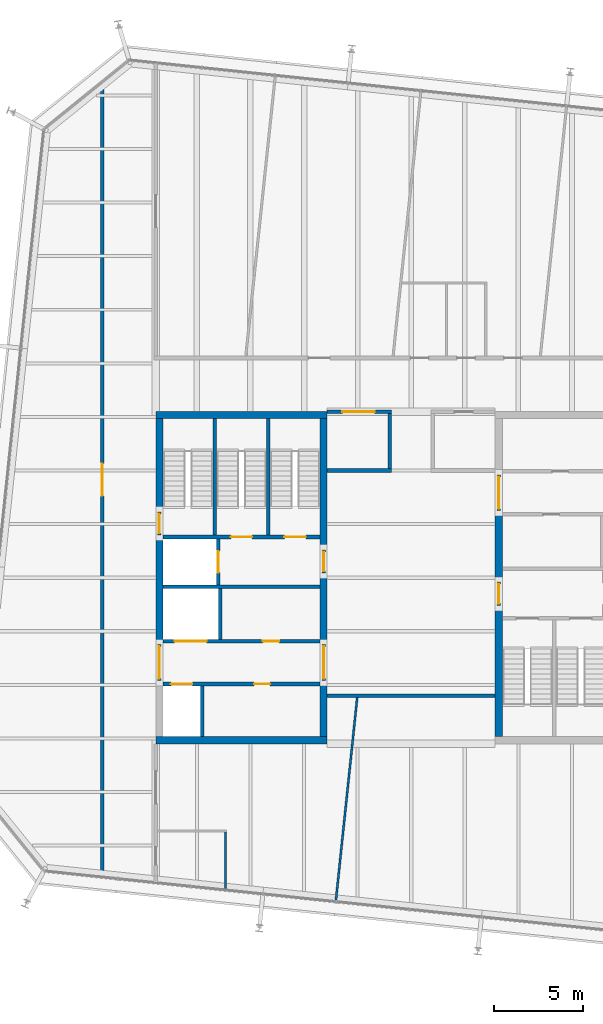
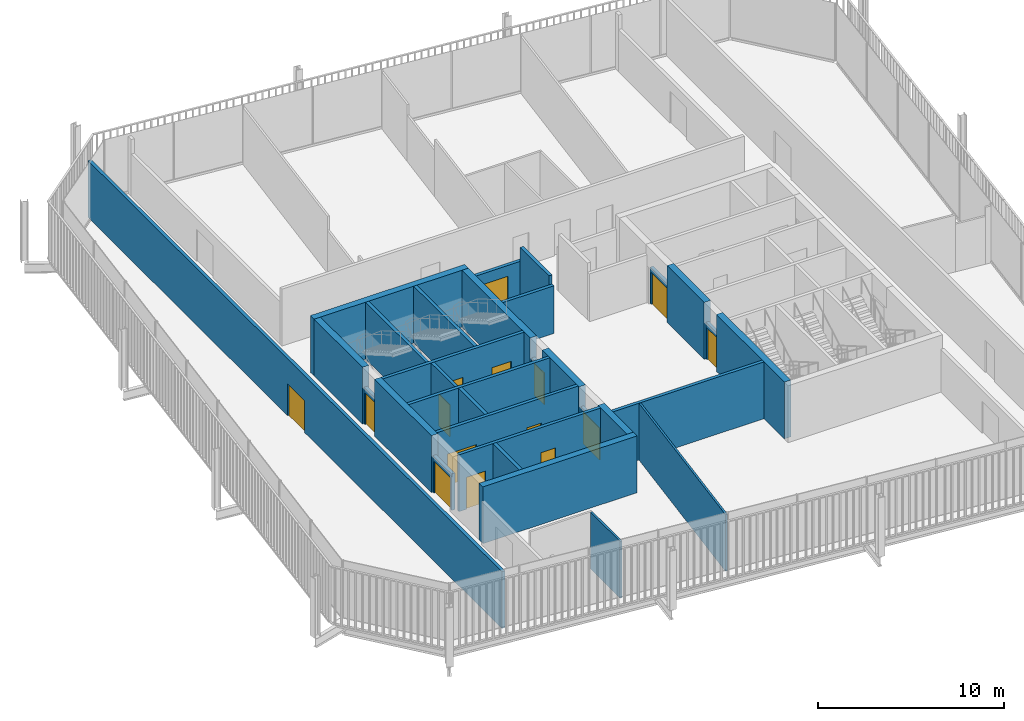
# One storey, part 16 of 20: 31 walls, 15 doors, 15 openings.
"""IFC4 building model written with IfcOpenShell, lengths in metres."""

from ifc_helpers import new_model, si_unit, direction, frame, frame_2d, origin, place, context, subcontext, project, spatial, rectangle, extrude, material, layer, layer_set, type_object, element, fill, save


model = new_model("IFC4")

# Units and contexts
model_context = context("Model", 3, precision=1e-05, world=origin(), true_north=direction((0.0, 1.0)))
body_context = subcontext(model_context, "Body", "Model", "MODEL_VIEW")
ifc_project = project(units=[si_unit("LENGTHUNIT", "METRE"), si_unit("AREAUNIT", "SQUARE_METRE"), si_unit("VOLUMEUNIT", "CUBIC_METRE"), si_unit("PLANEANGLEUNIT", "RADIAN"), si_unit("MASSUNIT", "GRAM", prefix="KILO")], contexts=[model_context])

# Site, building, storey
site_placement = place(None, origin())
site = spatial("IfcSite", under=ifc_project, at=site_placement, CompositionType="ELEMENT")
building_placement = place(site_placement, origin())
building = spatial("IfcBuilding", under=site, at=building_placement, Name="Millrace Tower", CompositionType="ELEMENT")
storey_placement = place(building_placement, frame((0.0, 0.0, 279.89990234375)))
storey = spatial("IfcBuildingStorey", under=building, at=storey_placement, Name="L64", CompositionType="ELEMENT", Elevation=279.89990234375)

# Walls
ifc_material_1 = material(Name="Concrete C60", Category="concrete")
ifc_layer_1 = layer(ifc_material_1, 0.39990234375)
ifc_layer_set_1 = layer_set([ifc_layer_1], Name="Concrete C60")
wall_type_1 = type_object("IfcWallType", Name="Core wall 400 Concrete C60", PredefinedType="SHEAR", material=ifc_layer_set_1)
for number, where, z_axis, x_axis, name in (
    (1, (-14.300048828125, -9.10009765625, 0.0), (0.0, 0.0, 1.0), (1.0, 0.0, 0.0), "Core wall W L64"),
    (2, (-14.300048828125, 9.10009765625, 0.0), (0.0, 0.0, 1.0), (1.0, 0.0, 0.0), "Core wall W L64"),
):
    element("IfcWall", number, at=place(storey_placement, frame(where, z_axis=z_axis, x_axis=x_axis)), inside=storey, type_object=wall_type_1, Name=name, PredefinedType="SHEAR", context=body_context, shape_type="SweptSolid", body=[
        extrude(rectangle(XDim=9.60009765625, YDim=0.39990234375, at=frame_2d((4.800048828125, 0.0))), origin(), (0.0, 0.0, 1.0), 3.739990234375),
    ])
wall_1_placement = place(storey_placement, frame((-14.10009765625, -3.75, 0.0), z_axis=(0.0, 0.0, 1.0), x_axis=(0.0, 1.0, 0.0)))
element("IfcWall", 3, at=wall_1_placement, inside=storey, type_object=wall_type_1, Name="Core wall W L64", PredefinedType="SHEAR", context=body_context, shape_type="SweptSolid", body=[
    extrude(rectangle(XDim=6.1298828125, YDim=0.39990234375, at=frame_2d((3.06494140625, 0.0))), origin(), (0.0, 0.0, 1.0), 3.739990234375),
])
wall_2_placement = place(storey_placement, frame((-14.10009765625, 3.679931640625, 0.0), z_axis=(0.0, 0.0, 1.0), x_axis=(0.0, 1.0, 0.0)))
element("IfcWall", 4, at=wall_2_placement, inside=storey, type_object=wall_type_1, Name="Core wall W L64", PredefinedType="SHEAR", context=body_context, shape_type="SweptSolid", body=[
    extrude(rectangle(XDim=5.219970703125, YDim=0.39990234375, at=frame_2d((2.60986328125, 0.0))), origin(), (0.0, 0.0, 1.0), 3.739990234375),
])
wall_3_placement = place(storey_placement, frame((-4.89990234375, -8.89990234375, 0.0), z_axis=(0.0, 0.0, 1.0), x_axis=(0.0, 1.0, 0.0)))
element("IfcWall", 5, at=wall_3_placement, inside=storey, type_object=wall_type_1, Name="Core wall W L64", PredefinedType="SHEAR", context=body_context, shape_type="SweptSolid", body=[
    extrude(rectangle(XDim=3.14990234375, YDim=0.39990234375, at=frame_2d((1.574951171875, 0.0))), origin(), (0.0, 0.0, 1.0), 3.739990234375),
])
wall_4_placement = place(storey_placement, frame((-4.89990234375, -3.75, 0.0), z_axis=(0.0, 0.0, 1.0), x_axis=(0.0, 1.0, 0.0)))
element("IfcWall", 6, at=wall_4_placement, inside=storey, type_object=wall_type_1, Name="Core wall W L64", PredefinedType="SHEAR", context=body_context, shape_type="SweptSolid", body=[
    extrude(rectangle(XDim=4.0, YDim=0.39990234375, at=frame_2d((2.0, 0.0))), origin(), (0.0, 0.0, 1.0), 3.739990234375),
])
wall_5_placement = place(storey_placement, frame((-4.89990234375, 1.550048828125, 0.0), z_axis=(0.0, 0.0, 1.0), x_axis=(0.0, 1.0, 0.0)))
element("IfcWall", 7, at=wall_5_placement, inside=storey, type_object=wall_type_1, Name="Core wall W L64", PredefinedType="SHEAR", context=body_context, shape_type="SweptSolid", body=[
    extrude(rectangle(XDim=7.349853515625, YDim=0.39990234375, at=frame_2d((3.6748046875, 0.0))), origin(), (0.0, 0.0, 1.0), 3.739990234375),
])
wall_6_placement = place(storey_placement, frame((4.89990234375, 3.75, 0.0), z_axis=(0.0, 0.0, 1.0), x_axis=(0.0, -1.0, 0.0)))
element("IfcWall", 8, at=wall_6_placement, inside=storey, type_object=wall_type_1, Name="Core wall E L64", PredefinedType="SHEAR", context=body_context, shape_type="SweptSolid", body=[
    extrude(rectangle(XDim=4.0, YDim=0.39990234375, at=frame_2d((2.0, 0.0))), origin(), (0.0, 0.0, 1.0), 3.739990234375),
])
wall_7_placement = place(storey_placement, frame((4.89990234375, -1.550048828125, 0.0), z_axis=(0.0, 0.0, 1.0), x_axis=(0.0, -1.0, 0.0)))
element("IfcWall", 9, at=wall_7_placement, inside=storey, type_object=wall_type_1, Name="Core wall E L64", PredefinedType="SHEAR", context=body_context, shape_type="SweptSolid", body=[
    extrude(rectangle(XDim=7.349853515625, YDim=0.39990234375, at=frame_2d((3.6748046875, 0.0))), origin(), (0.0, 0.0, 1.0), 3.739990234375),
])
ifc_material_2 = material(Name="Masonry partition, fire-rated", Category="masonry")
ifc_layer_2 = layer(ifc_material_2, 0.199951171875)
ifc_layer_set_2 = layer_set([ifc_layer_2], Name="Masonry partition, fire-rated")
wall_type_2 = type_object("IfcWallType", Name="Corridor wall 200", PredefinedType="PARTITIONING", material=ifc_layer_set_2)
wall_8_placement = place(storey_placement, frame((-4.699951171875, -6.60009765625, 0.0), z_axis=(0.0, 0.0, 1.0), x_axis=(1.0, 0.0, 0.0)))
element("IfcWall", 10, at=wall_8_placement, inside=storey, type_object=wall_type_2, Name="Corridor wall L64", PredefinedType="PARTITIONING", context=body_context, shape_type="SweptSolid", body=[
    extrude(rectangle(XDim=9.39990234375, YDim=0.199951171875, at=frame_2d((4.699951171875, 0.0))), origin(), (0.0, 0.0, 1.0), 3.739990234375),
])
wall_9_placement = place(storey_placement, frame((-4.699951171875, 6.0, 0.0), z_axis=(0.0, 0.0, 1.0), x_axis=(1.0, 0.0, 0.0)))
element("IfcWall", 11, at=wall_9_placement, inside=storey, type_object=wall_type_2, Name="Corridor wall L64", PredefinedType="PARTITIONING", context=body_context, shape_type="SweptSolid", body=[
    extrude(rectangle(XDim=3.599853515625, YDim=0.199951171875, at=frame_2d((1.7998046875, 0.0))), origin(), (0.0, 0.0, 1.0), 3.140625),
])

# Wall, opening, door
wall_10_placement = place(storey_placement, frame((-4.699951171875, 9.300048828125, 0.0), z_axis=(0.0, 0.0, 1.0), x_axis=(1.0, 0.0, 0.0)))
wall_10 = element("IfcWall", 12, at=wall_10_placement, inside=storey, type_object=wall_type_2, Name="Corridor wall L64", PredefinedType="PARTITIONING", context=body_context, shape_type="SweptSolid", body=[
    extrude(rectangle(XDim=3.599853515625, YDim=0.199951171875, at=frame_2d((1.7998046875, 0.0))), origin(), (0.0, 0.0, 1.0), 2.81298828125),
])
opening_1_placement = place(wall_10_placement, frame((0.85009765625, 0.0, 0.0)))
opening_1 = element("IfcOpeningElement", 13, at=opening_1_placement, cuts=wall_10, Name="Opening 64-P001", PredefinedType="OPENING", context=body_context, shape_type="SweptSolid", body=[
    extrude(rectangle(XDim=1.800048828125, YDim=2.10009765625, at=frame_2d((0.89990234375, 1.050048828125))), frame((0.0, 0.10986328125, 0.0), z_axis=(0.0, -1.0, 0.0), x_axis=(1.0, 0.0, 0.0)), (0.0, 0.0, 1.0), 0.219970703125),
])
ifc_material_3 = material(Name="Steel door set, fire-rated", Category="steel")
door_type_1 = type_object("IfcDoorType", Name="Data hall door 1800 x 2100", OperationType="DOUBLE_DOOR_SINGLE_SWING", PredefinedType="DOOR", material=ifc_material_3)
door_1_placement = place(opening_1_placement, frame((1.800048828125, 0.0, 0.0), z_axis=(0.0, 0.0, 1.0), x_axis=(-1.0, 0.0, 0.0)))
door_1 = element("IfcDoor", 14, at=door_1_placement, inside=storey, type_object=door_type_1, Name="Door 64-P001", OperationType="DOUBLE_DOOR_SINGLE_SWING", OverallHeight=2.10009765625, OverallWidth=1.800048828125, PredefinedType="DOOR", context=body_context, shape_type="SweptSolid", body=[
    extrude(rectangle(XDim=1.800048828125, YDim=2.10009765625, at=frame_2d((0.89990234375, 1.050048828125))), frame((0.0, 0.02490234375, 0.0), z_axis=(0.0, -1.0, 0.0), x_axis=(1.0, 0.0, 0.0)), (0.0, 0.0, 1.0), 0.050048828125),
])
fill(opening_1, door_1)

# Wall
wall_11_placement = place(storey_placement, frame((-1.199951171875, 6.10009765625, 0.0), z_axis=(0.0, 0.0, 1.0), x_axis=(0.0, 1.0, 0.0)))
element("IfcWall", 15, at=wall_11_placement, inside=storey, type_object=wall_type_2, Name="Corridor wall L64", PredefinedType="PARTITIONING", context=body_context, shape_type="SweptSolid", body=[
    extrude(rectangle(XDim=3.099853515625, YDim=0.199951171875, at=frame_2d((1.5498046875, 0.0))), origin(), (0.0, 0.0, 1.0), 3.739990234375),
])

# Wall, opening, door
wall_12_placement = place(storey_placement, frame((-17.300048828125, -16.716064453125, 0.0), z_axis=(0.0, 0.0, 1.0), x_axis=(0.0, 1.0, 0.0)))
wall_12 = element("IfcWall", 16, at=wall_12_placement, inside=storey, type_object=wall_type_2, Name="Corridor wall L64", PredefinedType="PARTITIONING", context=body_context, shape_type="SweptSolid", body=[
    extrude(rectangle(XDim=44.620361328125, YDim=0.199951171875, at=frame_2d((22.31005859375, 0.0))), origin(), (0.0, 0.0, 1.0), 3.739990234375),
])
opening_2_placement = place(wall_12_placement, frame((21.30322265625, 0.0, 0.0)))
opening_2 = element("IfcOpeningElement", 17, at=opening_2_placement, cuts=wall_12, Name="Opening 64-P003", PredefinedType="OPENING", context=body_context, shape_type="SweptSolid", body=[
    extrude(rectangle(XDim=1.800048828125, YDim=2.10009765625, at=frame_2d((0.89990234375, 1.050048828125))), frame((0.0, 0.10986328125, 0.0), z_axis=(0.0, -1.0, 0.0), x_axis=(1.0, 0.0, 0.0)), (0.0, 0.0, 1.0), 0.219970703125),
])
ifc_material_4 = material(Name="Steel door set, fire-rated", Category="steel")
door_type_2 = type_object("IfcDoorType", Name="Corridor door 1800 x 2100", OperationType="DOUBLE_DOOR_SINGLE_SWING", PredefinedType="DOOR", material=ifc_material_4)
door_2_placement = place(opening_2_placement, frame((1.800048828125, 0.0, 0.0), z_axis=(0.0, 0.0, 1.0), x_axis=(-1.0, 0.0, 0.0)))
door_2 = element("IfcDoor", 18, at=door_2_placement, inside=storey, type_object=door_type_2, Name="Door 64-P003", OperationType="DOUBLE_DOOR_SINGLE_SWING", OverallHeight=2.10009765625, OverallWidth=1.800048828125, PredefinedType="DOOR", context=body_context, shape_type="SweptSolid", body=[
    extrude(rectangle(XDim=1.800048828125, YDim=2.10009765625, at=frame_2d((0.89990234375, 1.050048828125))), frame((0.0, 0.02490234375, 0.0), z_axis=(0.0, -1.0, 0.0), x_axis=(1.0, 0.0, 0.0)), (0.0, 0.0, 1.0), 0.050048828125),
])
fill(opening_2, door_2)

# Wall, openings, doors
ifc_material_5 = material(Name="Masonry partition, fire-rated", Category="masonry")
ifc_layer_3 = layer(ifc_material_5, 0.199951171875)
ifc_layer_set_3 = layer_set([ifc_layer_3], Name="Masonry partition, fire-rated")
wall_type_3 = type_object("IfcWallType", Name="Lift shaft wall 200", PredefinedType="PARTITIONING", material=ifc_layer_set_3)
wall_13_placement = place(storey_placement, frame((-13.89990234375, -5.949951171875, 0.0), z_axis=(0.0, 0.0, 1.0), x_axis=(1.0, 0.0, 0.0)))
wall_13 = element("IfcWall", 19, at=wall_13_placement, inside=storey, type_object=wall_type_3, Name="Lift shaft wall W L64", PredefinedType="PARTITIONING", context=body_context, shape_type="SweptSolid", body=[
    extrude(rectangle(XDim=8.7998046875, YDim=0.199951171875, at=frame_2d((4.39990234375, 0.0))), origin(), (0.0, 0.0, 1.0), 3.739990234375),
])
opening_3_placement = place(wall_13_placement, frame((0.449951171875, 0.0, 0.0)))
opening_3 = element("IfcOpeningElement", 20, at=opening_3_placement, cuts=wall_13, Name="Opening 64-LD01", PredefinedType="OPENING", context=body_context, shape_type="SweptSolid", body=[
    extrude(rectangle(XDim=1.199951171875, YDim=2.10009765625, at=frame_2d((0.60009765625, 1.050048828125))), frame((0.0, 0.10986328125, 0.0), z_axis=(0.0, -1.0, 0.0), x_axis=(1.0, 0.0, 0.0)), (0.0, 0.0, 1.0), 0.219970703125),
])
opening_4_placement = place(wall_13_placement, frame((5.10009765625, 0.0, 0.0)))
opening_4 = element("IfcOpeningElement", 21, at=opening_4_placement, cuts=wall_13, Name="Opening 64-C005", PredefinedType="OPENING", context=body_context, shape_type="SweptSolid", body=[
    extrude(rectangle(XDim=0.89990234375, YDim=2.10009765625, at=frame_2d((0.449951171875, 1.050048828125))), frame((0.0, 0.10986328125, 0.0), z_axis=(0.0, -1.0, 0.0), x_axis=(1.0, 0.0, 0.0)), (0.0, 0.0, 1.0), 0.219970703125),
])
ifc_material_6 = material(Name="Stainless steel, fire-rated", Category="steel")
door_type_3 = type_object("IfcDoorType", Name="Lift landing door 1200 x 2100", OperationType="DOUBLE_DOOR_SLIDING", PredefinedType="DOOR", material=ifc_material_6)
door_3_placement = place(opening_3_placement, origin())
door_3 = element("IfcDoor", 22, at=door_3_placement, inside=storey, type_object=door_type_3, Name="Lift landing door LF1 L64", OperationType="DOUBLE_DOOR_SLIDING", OverallHeight=2.10009765625, OverallWidth=1.199951171875, PredefinedType="DOOR", context=body_context, shape_type="SweptSolid", body=[
    extrude(rectangle(XDim=1.199951171875, YDim=2.10009765625, at=frame_2d((0.60009765625, 1.050048828125))), frame((0.0, 0.02490234375, 0.0), z_axis=(0.0, -1.0, 0.0), x_axis=(1.0, 0.0, 0.0)), (0.0, 0.0, 1.0), 0.050048828125),
])
fill(opening_3, door_3)
ifc_material_7 = material(Name="Steel door, fire-rated", Category="steel")
door_type_4 = type_object("IfcDoorType", Name="Service room door 900 x 2100", OperationType="SINGLE_SWING_LEFT", PredefinedType="DOOR", material=ifc_material_7)
door_4_placement = place(opening_4_placement, frame((0.89990234375, 0.0, 0.0), z_axis=(0.0, 0.0, 1.0), x_axis=(-1.0, 0.0, 0.0)))
door_4 = element("IfcDoor", 23, at=door_4_placement, inside=storey, type_object=door_type_4, Name="Service room door 64-C005", OperationType="SINGLE_SWING_LEFT", OverallHeight=2.10009765625, OverallWidth=0.89990234375, PredefinedType="DOOR", context=body_context, shape_type="SweptSolid", body=[
    extrude(rectangle(XDim=0.89990234375, YDim=2.10009765625, at=frame_2d((0.449951171875, 1.050048828125))), frame((0.0, 0.02490234375, 0.0), z_axis=(0.0, -1.0, 0.0), x_axis=(1.0, 0.0, 0.0)), (0.0, 0.0, 1.0), 0.050048828125),
])
fill(opening_4, door_4)

wall_14_placement = place(storey_placement, frame((-13.89990234375, -3.550048828125, 0.0), z_axis=(0.0, 0.0, 1.0), x_axis=(1.0, 0.0, 0.0)))
wall_14 = element("IfcWall", 24, at=wall_14_placement, inside=storey, type_object=wall_type_3, Name="Lift shaft wall W L64", PredefinedType="PARTITIONING", context=body_context, shape_type="SweptSolid", body=[
    extrude(rectangle(XDim=8.7998046875, YDim=0.199951171875, at=frame_2d((4.39990234375, 0.0))), origin(), (0.0, 0.0, 1.0), 3.739990234375),
])
opening_5_placement = place(wall_14_placement, frame((0.64990234375, 0.0, 0.0)))
opening_5 = element("IfcOpeningElement", 25, at=opening_5_placement, cuts=wall_14, Name="Opening 64-LD05", PredefinedType="OPENING", context=body_context, shape_type="SweptSolid", body=[
    extrude(rectangle(XDim=1.800048828125, YDim=2.10009765625, at=frame_2d((0.89990234375, 1.050048828125))), frame((0.0, 0.10986328125, 0.0), z_axis=(0.0, -1.0, 0.0), x_axis=(1.0, 0.0, 0.0)), (0.0, 0.0, 1.0), 0.219970703125),
])
opening_6_placement = place(wall_14_placement, frame((5.60009765625, 0.0, 0.0)))
opening_6 = element("IfcOpeningElement", 26, at=opening_6_placement, cuts=wall_14, Name="Opening 64-C006", PredefinedType="OPENING", context=body_context, shape_type="SweptSolid", body=[
    extrude(rectangle(XDim=0.89990234375, YDim=2.10009765625, at=frame_2d((0.449951171875, 1.050048828125))), frame((0.0, 0.10986328125, 0.0), z_axis=(0.0, -1.0, 0.0), x_axis=(1.0, 0.0, 0.0)), (0.0, 0.0, 1.0), 0.219970703125),
])
ifc_material_8 = material(Name="Stainless steel, fire-rated", Category="steel")
door_type_5 = type_object("IfcDoorType", Name="Lift landing door 1800 x 2100", OperationType="DOUBLE_DOOR_SLIDING", PredefinedType="DOOR", material=ifc_material_8)
door_5_placement = place(opening_5_placement, origin())
door_5 = element("IfcDoor", 27, at=door_5_placement, inside=storey, type_object=door_type_5, Name="Lift landing door LF5 L64", OperationType="DOUBLE_DOOR_SLIDING", OverallHeight=2.10009765625, OverallWidth=1.800048828125, PredefinedType="DOOR", context=body_context, shape_type="SweptSolid", body=[
    extrude(rectangle(XDim=1.800048828125, YDim=2.10009765625, at=frame_2d((0.89990234375, 1.050048828125))), frame((0.0, 0.02490234375, 0.0), z_axis=(0.0, -1.0, 0.0), x_axis=(1.0, 0.0, 0.0)), (0.0, 0.0, 1.0), 0.050048828125),
])
fill(opening_5, door_5)
door_6_placement = place(opening_6_placement, origin())
door_6 = element("IfcDoor", 28, at=door_6_placement, inside=storey, type_object=door_type_4, Name="Service room door 64-C006", OperationType="SINGLE_SWING_RIGHT", OverallHeight=2.10009765625, OverallWidth=0.89990234375, PredefinedType="DOOR", context=body_context, shape_type="SweptSolid", body=[
    extrude(rectangle(XDim=0.89990234375, YDim=2.10009765625, at=frame_2d((0.449951171875, 1.050048828125))), frame((0.0, 0.02490234375, 0.0), z_axis=(0.0, -1.0, 0.0), x_axis=(1.0, 0.0, 0.0)), (0.0, 0.0, 1.0), 0.050048828125),
])
fill(opening_6, door_6)

# Wall
wall_15_placement = place(storey_placement, frame((-13.89990234375, -0.5, 0.0), z_axis=(0.0, 0.0, 1.0), x_axis=(1.0, 0.0, 0.0)))
element("IfcWall", 29, at=wall_15_placement, inside=storey, type_object=wall_type_3, Name="Lift shaft wall W L64", PredefinedType="PARTITIONING", context=body_context, shape_type="SweptSolid", body=[
    extrude(rectangle(XDim=8.7998046875, YDim=0.199951171875, at=frame_2d((4.39990234375, 0.0))), origin(), (0.0, 0.0, 1.0), 3.739990234375),
])

# Wall, opening, door
wall_16_placement = place(storey_placement, frame((-10.800048828125, -0.39990234375, 0.0), z_axis=(0.0, 0.0, 1.0), x_axis=(0.0, 1.0, 0.0)))
wall_16 = element("IfcWall", 30, at=wall_16_placement, inside=storey, type_object=wall_type_3, Name="Lift shaft wall W L64", PredefinedType="PARTITIONING", context=body_context, shape_type="SweptSolid", body=[
    extrude(rectangle(XDim=2.579833984375, YDim=0.199951171875, at=frame_2d((1.2900390625, 0.0))), origin(), (0.0, 0.0, 1.0), 3.739990234375),
])
opening_7_placement = place(wall_16_placement, frame((0.68994140625, 0.0, 0.0)))
opening_7 = element("IfcOpeningElement", 31, at=opening_7_placement, cuts=wall_16, Name="Opening 64-LD08", PredefinedType="OPENING", context=body_context, shape_type="SweptSolid", body=[
    extrude(rectangle(XDim=1.199951171875, YDim=2.10009765625, at=frame_2d((0.60009765625, 1.050048828125))), frame((0.0, 0.10986328125, 0.0), z_axis=(0.0, -1.0, 0.0), x_axis=(1.0, 0.0, 0.0)), (0.0, 0.0, 1.0), 0.219970703125),
])
door_7_placement = place(opening_7_placement, origin())
door_7 = element("IfcDoor", 32, at=door_7_placement, inside=storey, type_object=door_type_3, Name="Lift landing door LF8 L64", OperationType="DOUBLE_DOOR_SLIDING", OverallHeight=2.10009765625, OverallWidth=1.199951171875, PredefinedType="DOOR", context=body_context, shape_type="SweptSolid", body=[
    extrude(rectangle(XDim=1.199951171875, YDim=2.10009765625, at=frame_2d((0.60009765625, 1.050048828125))), frame((0.0, 0.02490234375, 0.0), z_axis=(0.0, -1.0, 0.0), x_axis=(1.0, 0.0, 0.0)), (0.0, 0.0, 1.0), 0.050048828125),
])
fill(opening_7, door_7)

# Walls
for number, where, z_axis, x_axis, name in (
    (33, (-11.699951171875, -8.89990234375, 0.0), (0.0, 0.0, 1.0), (0.0, 1.0, 0.0), "Lift shaft wall W L64"),
    (34, (-10.699951171875, -3.449951171875, 0.0), (0.0, 0.0, 1.0), (0.0, 1.0, 0.0), "Lift shaft wall W L64"),
):
    element("IfcWall", number, at=place(storey_placement, frame(where, z_axis=z_axis, x_axis=x_axis)), inside=storey, type_object=wall_type_3, Name=name, PredefinedType="PARTITIONING", context=body_context, shape_type="SweptSolid", body=[
        extrude(rectangle(XDim=2.849853515625, YDim=0.199951171875, at=frame_2d((1.4248046875, 0.0))), origin(), (0.0, 0.0, 1.0), 3.739990234375),
    ])

# Wall, opening, door
ifc_material_9 = material(Name="Masonry partition, fire-rated", Category="masonry")
ifc_layer_4 = layer(ifc_material_9, 0.199951171875)
ifc_layer_set_4 = layer_set([ifc_layer_4], Name="Masonry partition, fire-rated")
wall_type_4 = type_object("IfcWallType", Name="Lobby wall 200", PredefinedType="PARTITIONING", material=ifc_layer_set_4)
wall_17_placement = place(storey_placement, frame((-14.10009765625, -5.75, 0.0), z_axis=(0.0, 0.0, 1.0), x_axis=(0.0, 1.0, 0.0)))
wall_17 = element("IfcWall", 35, at=wall_17_placement, inside=storey, type_object=wall_type_4, Name="Lobby wall W L64", PredefinedType="PARTITIONING", context=body_context, shape_type="SweptSolid", body=[
    extrude(rectangle(XDim=2.0, YDim=0.199951171875, at=frame_2d((1.0, 0.0))), origin(), (0.0, 0.0, 1.0), 2.400146484375),
])
opening_8_placement = place(wall_17_placement, frame((0.10009765625, 0.0, 0.0)))
opening_8 = element("IfcOpeningElement", 36, at=opening_8_placement, cuts=wall_17, Name="Opening 64-C001", PredefinedType="OPENING", context=body_context, shape_type="SweptSolid", body=[
    extrude(rectangle(XDim=1.800048828125, YDim=2.10009765625, at=frame_2d((0.89990234375, 1.050048828125))), frame((0.0, 0.10986328125, 0.0), z_axis=(0.0, -1.0, 0.0), x_axis=(1.0, 0.0, 0.0)), (0.0, 0.0, 1.0), 0.219970703125),
])
ifc_material_10 = material(Name="Steel door, fire-rated", Category="steel")
door_type_6 = type_object("IfcDoorType", Name="Lobby door 1800 x 2100", OperationType="DOUBLE_DOOR_SINGLE_SWING", PredefinedType="DOOR", material=ifc_material_10)
door_8_placement = place(opening_8_placement, origin())
door_8 = element("IfcDoor", 37, at=door_8_placement, inside=storey, type_object=door_type_6, Name="Lobby door 64-C001", OperationType="DOUBLE_DOOR_SINGLE_SWING", OverallHeight=2.10009765625, OverallWidth=1.800048828125, PredefinedType="DOOR", context=body_context, shape_type="SweptSolid", body=[
    extrude(rectangle(XDim=1.800048828125, YDim=2.10009765625, at=frame_2d((0.89990234375, 1.050048828125))), frame((0.0, 0.02490234375, 0.0), z_axis=(0.0, -1.0, 0.0), x_axis=(1.0, 0.0, 0.0)), (0.0, 0.0, 1.0), 0.050048828125),
])
fill(opening_8, door_8)

wall_18_placement = place(storey_placement, frame((-4.89990234375, -5.75, 0.0), z_axis=(0.0, 0.0, 1.0), x_axis=(0.0, 1.0, 0.0)))
wall_18 = element("IfcWall", 38, at=wall_18_placement, inside=storey, type_object=wall_type_4, Name="Lobby wall W L64", PredefinedType="PARTITIONING", context=body_context, shape_type="SweptSolid", body=[
    extrude(rectangle(XDim=2.0, YDim=0.199951171875, at=frame_2d((1.0, 0.0))), origin(), (0.0, 0.0, 1.0), 2.400146484375),
])
opening_9_placement = place(wall_18_placement, frame((0.10009765625, 0.0, 0.0)))
opening_9 = element("IfcOpeningElement", 39, at=opening_9_placement, cuts=wall_18, Name="Opening 64-C003", PredefinedType="OPENING", context=body_context, shape_type="SweptSolid", body=[
    extrude(rectangle(XDim=1.800048828125, YDim=2.10009765625, at=frame_2d((0.89990234375, 1.050048828125))), frame((0.0, 0.10986328125, 0.0), z_axis=(0.0, -1.0, 0.0), x_axis=(1.0, 0.0, 0.0)), (0.0, 0.0, 1.0), 0.219970703125),
])
door_9_placement = place(opening_9_placement, frame((1.800048828125, 0.0, 0.0), z_axis=(0.0, 0.0, 1.0), x_axis=(-1.0, 0.0, 0.0)))
door_9 = element("IfcDoor", 40, at=door_9_placement, inside=storey, type_object=door_type_6, Name="Lobby door 64-C003", OperationType="DOUBLE_DOOR_SINGLE_SWING", OverallHeight=2.10009765625, OverallWidth=1.800048828125, PredefinedType="DOOR", context=body_context, shape_type="SweptSolid", body=[
    extrude(rectangle(XDim=1.800048828125, YDim=2.10009765625, at=frame_2d((0.89990234375, 1.050048828125))), frame((0.0, 0.02490234375, 0.0), z_axis=(0.0, -1.0, 0.0), x_axis=(1.0, 0.0, 0.0)), (0.0, 0.0, 1.0), 0.050048828125),
])
fill(opening_9, door_9)

wall_19_placement = place(storey_placement, frame((-4.89990234375, 0.25, 0.0), z_axis=(0.0, 0.0, 1.0), x_axis=(0.0, 1.0, 0.0)))
wall_19 = element("IfcWall", 41, at=wall_19_placement, inside=storey, type_object=wall_type_4, Name="Lobby wall W L64", PredefinedType="PARTITIONING", context=body_context, shape_type="SweptSolid", body=[
    extrude(rectangle(XDim=1.300048828125, YDim=0.199951171875, at=frame_2d((0.64990234375, 0.0))), origin(), (0.0, 0.0, 1.0), 2.400146484375),
])
opening_10_placement = place(wall_19_placement, frame((0.10009765625, 0.0, 0.0)))
opening_10 = element("IfcOpeningElement", 42, at=opening_10_placement, cuts=wall_19, Name="Opening 64-C004", PredefinedType="OPENING", context=body_context, shape_type="SweptSolid", body=[
    extrude(rectangle(XDim=1.10009765625, YDim=2.10009765625, at=frame_2d((0.550048828125, 1.050048828125))), frame((0.0, 0.10986328125, 0.0), z_axis=(0.0, -1.0, 0.0), x_axis=(1.0, 0.0, 0.0)), (0.0, 0.0, 1.0), 0.219970703125),
])
ifc_material_11 = material(Name="Steel door, fire-rated", Category="steel")
door_type_7 = type_object("IfcDoorType", Name="Lobby door 1100 x 2100", OperationType="SINGLE_SWING_LEFT", PredefinedType="DOOR", material=ifc_material_11)
door_10_placement = place(opening_10_placement, frame((1.10009765625, 0.0, 0.0), z_axis=(0.0, 0.0, 1.0), x_axis=(-1.0, 0.0, 0.0)))
door_10 = element("IfcDoor", 43, at=door_10_placement, inside=storey, type_object=door_type_7, Name="Lobby door 64-C004", OperationType="SINGLE_SWING_RIGHT", OverallHeight=2.10009765625, OverallWidth=1.10009765625, PredefinedType="DOOR", context=body_context, shape_type="SweptSolid", body=[
    extrude(rectangle(XDim=1.10009765625, YDim=2.10009765625, at=frame_2d((0.550048828125, 1.050048828125))), frame((0.0, 0.02490234375, 0.0), z_axis=(0.0, -1.0, 0.0), x_axis=(1.0, 0.0, 0.0)), (0.0, 0.0, 1.0), 0.050048828125),
])
fill(opening_10, door_10)

wall_20_placement = place(storey_placement, frame((4.89990234375, 5.75, 0.0), z_axis=(0.0, 0.0, 1.0), x_axis=(0.0, -1.0, 0.0)))
wall_20 = element("IfcWall", 44, at=wall_20_placement, inside=storey, type_object=wall_type_4, Name="Lobby wall E L64", PredefinedType="PARTITIONING", context=body_context, shape_type="SweptSolid", body=[
    extrude(rectangle(XDim=2.0, YDim=0.199951171875, at=frame_2d((1.0, 0.0))), origin(), (0.0, 0.0, 1.0), 2.400146484375),
])
opening_11_placement = place(wall_20_placement, frame((0.10009765625, 0.0, 0.0)))
opening_11 = element("IfcOpeningElement", 45, at=opening_11_placement, cuts=wall_20, Name="Opening 64-C011", PredefinedType="OPENING", context=body_context, shape_type="SweptSolid", body=[
    extrude(rectangle(XDim=1.800048828125, YDim=2.10009765625, at=frame_2d((0.89990234375, 1.050048828125))), frame((0.0, 0.10986328125, 0.0), z_axis=(0.0, -1.0, 0.0), x_axis=(1.0, 0.0, 0.0)), (0.0, 0.0, 1.0), 0.219970703125),
])
door_11_placement = place(opening_11_placement, frame((1.800048828125, 0.0, 0.0), z_axis=(0.0, 0.0, 1.0), x_axis=(-1.0, 0.0, 0.0)))
door_11 = element("IfcDoor", 46, at=door_11_placement, inside=storey, type_object=door_type_6, Name="Lobby door 64-C011", OperationType="DOUBLE_DOOR_SINGLE_SWING", OverallHeight=2.10009765625, OverallWidth=1.800048828125, PredefinedType="DOOR", context=body_context, shape_type="SweptSolid", body=[
    extrude(rectangle(XDim=1.800048828125, YDim=2.10009765625, at=frame_2d((0.89990234375, 1.050048828125))), frame((0.0, 0.02490234375, 0.0), z_axis=(0.0, -1.0, 0.0), x_axis=(1.0, 0.0, 0.0)), (0.0, 0.0, 1.0), 0.050048828125),
])
fill(opening_11, door_11)

wall_21_placement = place(storey_placement, frame((4.89990234375, -0.25, 0.0), z_axis=(0.0, 0.0, 1.0), x_axis=(0.0, -1.0, 0.0)))
wall_21 = element("IfcWall", 47, at=wall_21_placement, inside=storey, type_object=wall_type_4, Name="Lobby wall E L64", PredefinedType="PARTITIONING", context=body_context, shape_type="SweptSolid", body=[
    extrude(rectangle(XDim=1.300048828125, YDim=0.199951171875, at=frame_2d((0.64990234375, 0.0))), origin(), (0.0, 0.0, 1.0), 2.400146484375),
])
opening_12_placement = place(wall_21_placement, frame((0.10009765625, 0.0, 0.0)))
opening_12 = element("IfcOpeningElement", 48, at=opening_12_placement, cuts=wall_21, Name="Opening 64-C012", PredefinedType="OPENING", context=body_context, shape_type="SweptSolid", body=[
    extrude(rectangle(XDim=1.10009765625, YDim=2.10009765625, at=frame_2d((0.550048828125, 1.050048828125))), frame((0.0, 0.10986328125, 0.0), z_axis=(0.0, -1.0, 0.0), x_axis=(1.0, 0.0, 0.0)), (0.0, 0.0, 1.0), 0.219970703125),
])
door_12_placement = place(opening_12_placement, frame((1.10009765625, 0.0, 0.0), z_axis=(0.0, 0.0, 1.0), x_axis=(-1.0, 0.0, 0.0)))
door_12 = element("IfcDoor", 49, at=door_12_placement, inside=storey, type_object=door_type_7, Name="Lobby door 64-C012", OperationType="SINGLE_SWING_LEFT", OverallHeight=2.10009765625, OverallWidth=1.10009765625, PredefinedType="DOOR", context=body_context, shape_type="SweptSolid", body=[
    extrude(rectangle(XDim=1.10009765625, YDim=2.10009765625, at=frame_2d((0.550048828125, 1.050048828125))), frame((0.0, 0.02490234375, 0.0), z_axis=(0.0, -1.0, 0.0), x_axis=(1.0, 0.0, 0.0)), (0.0, 0.0, 1.0), 0.050048828125),
])
fill(opening_12, door_12)

# Walls
ifc_material_12 = material(Name="Gypsum board partition")
ifc_layer_5 = layer(ifc_material_12, 0.1201171875)
ifc_layer_set_5 = layer_set([ifc_layer_5], Name="Gypsum board partition")
wall_type_5 = type_object("IfcWallType", Name="Partition wall 120", PredefinedType="PARTITIONING", material=ifc_layer_set_5)
wall_22_placement = place(storey_placement, frame((-4.21826171875, -18.091064453125, 0.0), z_axis=(0.0, 0.0, 1.0), x_axis=(0.104482850971, 0.994526688356, 0.0)))
element("IfcWall", 50, at=wall_22_placement, inside=storey, type_object=wall_type_5, Name="Partition wall L64", PredefinedType="PARTITIONING", context=body_context, shape_type="SweptSolid", body=[
    extrude(rectangle(XDim=11.454345703125, YDim=0.1201171875, at=frame_2d((5.72705078125, 0.0))), origin(), (0.0, 0.0, 1.0), 3.739990234375),
])
wall_23_placement = place(storey_placement, frame((-10.39990234375, -17.44140625, 0.0), z_axis=(0.0, 0.0, 1.0), x_axis=(0.0, 1.0, 0.0)))
element("IfcWall", 51, at=wall_23_placement, inside=storey, type_object=wall_type_5, Name="Partition wall L64", PredefinedType="PARTITIONING", context=body_context, shape_type="SweptSolid", body=[
    extrude(rectangle(XDim=3.200439453125, YDim=0.1201171875, at=frame_2d((1.60009765625, 0.0))), origin(), (0.0, 0.0, 1.0), 3.739990234375),
])

# Wall, opening, door
ifc_material_13 = material(Name="Concrete C40", Category="concrete")
ifc_layer_6 = layer(ifc_material_13, 0.199951171875)
ifc_layer_set_6 = layer_set([ifc_layer_6], Name="Concrete C40")
wall_type_6 = type_object("IfcWallType", Name="Stair enclosure wall 200 Concrete C40", PredefinedType="SHEAR", material=ifc_layer_set_6)
wall_24_placement = place(storey_placement, frame((-14.10009765625, 2.3798828125, 0.0), z_axis=(0.0, 0.0, 1.0), x_axis=(0.0, 1.0, 0.0)))
wall_24 = element("IfcWall", 52, at=wall_24_placement, inside=storey, type_object=wall_type_6, Name="Stair enclosure wall W L64", PredefinedType="SHEAR", context=body_context, shape_type="SweptSolid", body=[
    extrude(rectangle(XDim=1.300048828125, YDim=0.199951171875, at=frame_2d((0.64990234375, 0.0))), origin(), (0.0, 0.0, 1.0), 2.400146484375),
])
opening_13_placement = place(wall_24_placement, frame((0.10009765625, 0.0, 0.0)))
opening_13 = element("IfcOpeningElement", 53, at=opening_13_placement, cuts=wall_24, Name="Opening 64-C002", PredefinedType="OPENING", context=body_context, shape_type="SweptSolid", body=[
    extrude(rectangle(XDim=1.10009765625, YDim=2.10009765625, at=frame_2d((0.550048828125, 1.050048828125))), frame((0.0, 0.10986328125, 0.0), z_axis=(0.0, -1.0, 0.0), x_axis=(1.0, 0.0, 0.0)), (0.0, 0.0, 1.0), 0.219970703125),
])
ifc_material_14 = material(Name="Steel door, fire-rated", Category="steel")
door_type_8 = type_object("IfcDoorType", Name="Stair door 1100 x 2100", OperationType="SINGLE_SWING_LEFT", PredefinedType="DOOR", material=ifc_material_14)
door_13_placement = place(opening_13_placement, origin())
door_13 = element("IfcDoor", 54, at=door_13_placement, inside=storey, type_object=door_type_8, Name="Stair door 64-C002", OperationType="SINGLE_SWING_LEFT", OverallHeight=2.10009765625, OverallWidth=1.10009765625, PredefinedType="DOOR", context=body_context, shape_type="SweptSolid", body=[
    extrude(rectangle(XDim=1.10009765625, YDim=2.10009765625, at=frame_2d((0.550048828125, 1.050048828125))), frame((0.0, 0.02490234375, 0.0), z_axis=(0.0, -1.0, 0.0), x_axis=(1.0, 0.0, 0.0)), (0.0, 0.0, 1.0), 0.050048828125),
])
fill(opening_13, door_13)

# Wall, openings, doors
wall_25_placement = place(storey_placement, frame((-13.89990234375, 2.280029296875, 0.0), z_axis=(0.0, 0.0, 1.0), x_axis=(1.0, 0.0, 0.0)))
wall_25 = element("IfcWall", 55, at=wall_25_placement, inside=storey, type_object=wall_type_6, Name="Stair enclosure wall W L64", PredefinedType="SHEAR", context=body_context, shape_type="SweptSolid", body=[
    extrude(rectangle(XDim=8.7998046875, YDim=0.199951171875, at=frame_2d((4.39990234375, 0.0))), origin(), (0.0, 0.0, 1.0), 3.739990234375),
])
opening_14_placement = place(wall_25_placement, frame((3.800048828125, 0.0, 0.0)))
opening_14 = element("IfcOpeningElement", 56, at=opening_14_placement, cuts=wall_25, Name="Opening 64-C007", PredefinedType="OPENING", context=body_context, shape_type="SweptSolid", body=[
    extrude(rectangle(XDim=1.199951171875, YDim=2.10009765625, at=frame_2d((0.60009765625, 1.050048828125))), frame((0.0, 0.10986328125, 0.0), z_axis=(0.0, -1.0, 0.0), x_axis=(1.0, 0.0, 0.0)), (0.0, 0.0, 1.0), 0.219970703125),
])
opening_15_placement = place(wall_25_placement, frame((6.800048828125, 0.0, 0.0)))
opening_15 = element("IfcOpeningElement", 57, at=opening_15_placement, cuts=wall_25, Name="Opening 64-C008", PredefinedType="OPENING", context=body_context, shape_type="SweptSolid", body=[
    extrude(rectangle(XDim=1.199951171875, YDim=2.10009765625, at=frame_2d((0.60009765625, 1.050048828125))), frame((0.0, 0.10986328125, 0.0), z_axis=(0.0, -1.0, 0.0), x_axis=(1.0, 0.0, 0.0)), (0.0, 0.0, 1.0), 0.219970703125),
])
ifc_material_15 = material(Name="Steel door, fire-rated", Category="steel")
door_type_9 = type_object("IfcDoorType", Name="Stair door 1200 x 2100", OperationType="SINGLE_SWING_LEFT", PredefinedType="DOOR", material=ifc_material_15)
door_14_placement = place(opening_14_placement, frame((1.199951171875, 0.0, 0.0), z_axis=(0.0, 0.0, 1.0), x_axis=(-1.0, 0.0, 0.0)))
door_14 = element("IfcDoor", 58, at=door_14_placement, inside=storey, type_object=door_type_9, Name="Stair door 64-C007", OperationType="SINGLE_SWING_RIGHT", OverallHeight=2.10009765625, OverallWidth=1.199951171875, PredefinedType="DOOR", context=body_context, shape_type="SweptSolid", body=[
    extrude(rectangle(XDim=1.199951171875, YDim=2.10009765625, at=frame_2d((0.60009765625, 1.050048828125))), frame((0.0, 0.02490234375, 0.0), z_axis=(0.0, -1.0, 0.0), x_axis=(1.0, 0.0, 0.0)), (0.0, 0.0, 1.0), 0.050048828125),
])
fill(opening_14, door_14)
door_15_placement = place(opening_15_placement, frame((1.199951171875, 0.0, 0.0), z_axis=(0.0, 0.0, 1.0), x_axis=(-1.0, 0.0, 0.0)))
door_15 = element("IfcDoor", 59, at=door_15_placement, inside=storey, type_object=door_type_9, Name="Stair door 64-C008", OperationType="SINGLE_SWING_LEFT", OverallHeight=2.10009765625, OverallWidth=1.199951171875, PredefinedType="DOOR", context=body_context, shape_type="SweptSolid", body=[
    extrude(rectangle(XDim=1.199951171875, YDim=2.10009765625, at=frame_2d((0.60009765625, 1.050048828125))), frame((0.0, 0.02490234375, 0.0), z_axis=(0.0, -1.0, 0.0), x_axis=(1.0, 0.0, 0.0)), (0.0, 0.0, 1.0), 0.050048828125),
])
fill(opening_15, door_15)

# Walls
for number, where, z_axis, x_axis, name in (
    (60, (-11.0, 2.3798828125, 0.0), (0.0, 0.0, 1.0), (0.0, 1.0, 0.0), "Stair enclosure wall W L64"),
    (61, (-8.0, 2.3798828125, 0.0), (0.0, 0.0, 1.0), (0.0, 1.0, 0.0), "Stair enclosure wall W L64"),
):
    element("IfcWall", number, at=place(storey_placement, frame(where, z_axis=z_axis, x_axis=x_axis)), inside=storey, type_object=wall_type_6, Name=name, PredefinedType="SHEAR", context=body_context, shape_type="SweptSolid", body=[
        extrude(rectangle(XDim=6.52001953125, YDim=0.199951171875, at=frame_2d((3.260009765625, 0.0))), origin(), (0.0, 0.0, 1.0), 3.739990234375),
    ])

save(model, "model.ifc")
